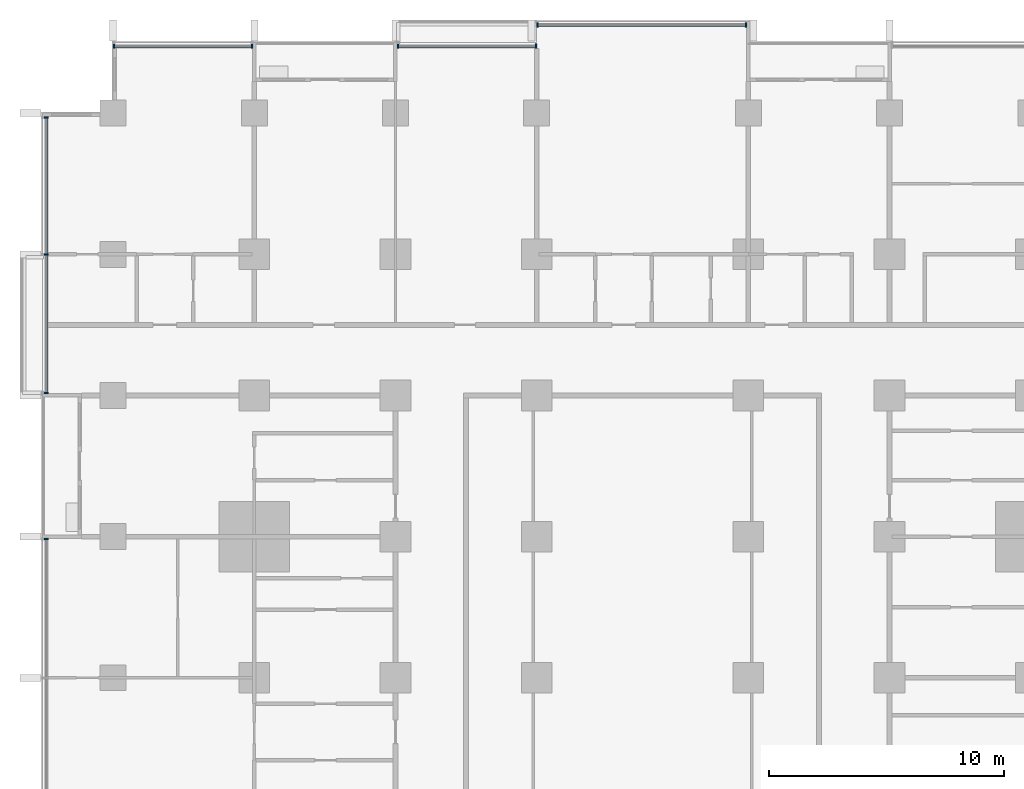
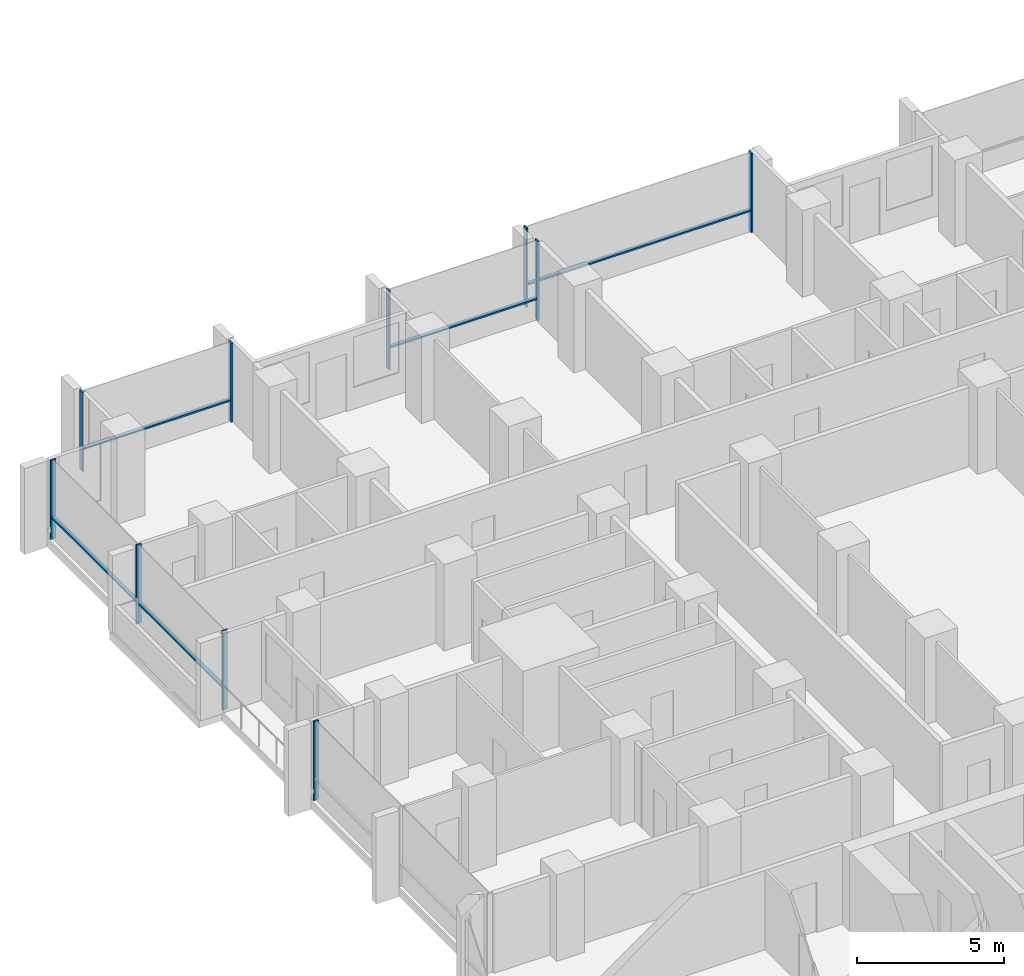
# One storey, part 4 of 18: 15 members, 5 elements without a shape of their own.
"""IFC4 building model written with IfcOpenShell, lengths in metres."""

from ifc_helpers import new_model, si_unit, direction, frame, origin, origin_2d, place, context, subcontext, project, spatial, rectangle, extrude, material, material_profile, profile_set, type_object, element, aggregate, save


model = new_model("IFC4")

# Units and contexts
model_context = context("Model", 3, precision=1e-05, world=origin(), true_north=direction((0.0, 1.0)))
body_context = subcontext(model_context, "Body", "Model", "MODEL_VIEW")
ifc_project = project(units=[si_unit("LENGTHUNIT", "METRE"), si_unit("AREAUNIT", "SQUARE_METRE"), si_unit("VOLUMEUNIT", "CUBIC_METRE"), si_unit("PLANEANGLEUNIT", "RADIAN"), si_unit("MASSUNIT", "GRAM", prefix="KILO")], contexts=[model_context])

# Site, building, storey
site_placement = place(None, origin())
site = spatial("IfcSite", under=ifc_project, at=site_placement, CompositionType="ELEMENT")
building_placement = place(site_placement, origin())
building = spatial("IfcBuilding", under=site, at=building_placement, Name="Finial Court Residences", CompositionType="ELEMENT")
storey_placement = place(building_placement, frame((0.0, 0.0, 39.699951171875)))
storey = spatial("IfcBuildingStorey", under=building, at=storey_placement, Name="L08", CompositionType="ELEMENT", Elevation=39.699951171875)

# Curtain wall, members
ifc_material = material(Name="Bronze anodised aluminium", Category="aluminium")
curtain_wall_type = type_object("IfcCurtainWallType", Name="Unitised curtain wall, lower and middle zones", PredefinedType="NOTDEFINED", material=ifc_material)
curtain_wall_1_placement = place(storey_placement, origin())
curtain_wall_1 = element("IfcCurtainWall", 1, at=curtain_wall_1_placement, inside=storey, type_object=curtain_wall_type, Name="E-L08-CW-N1", PredefinedType="NOTDEFINED")
ifc_material_profile_1 = material_profile(ifc_material, rectangle(XDim=0.199951171875, YDim=0.06494140625, at=origin_2d()), Name="CW1 mullion 65 x 200")
ifc_profile_set_1 = profile_set([ifc_material_profile_1], Name="Bronze anodised aluminium")
member_type_1 = type_object("IfcMemberType", Name="CW1 mullion 65 x 200", PredefinedType="MULLION", material=ifc_profile_set_1)
member_1_placement = place(storey_placement, frame((-22.467529296875, 28.35009765625, 0.0), z_axis=(0.0, 0.0, 1.0), x_axis=(0.0, 1.0, 0.0)))
member_1 = element("IfcMember", 2, at=member_1_placement, type_object=member_type_1, Name="CW1 mullion 1", PredefinedType="MULLION", context=body_context, shape_type="SweptSolid", body=[
    extrude(rectangle(XDim=0.199951171875, YDim=0.06494140625, at=origin_2d()), origin(), (0.0, 0.0, 1.0), 3.300048828125),
])
member_2_placement = place(storey_placement, frame((-16.607421875, 28.35009765625, 0.0), z_axis=(0.0, 0.0, 1.0), x_axis=(0.0, 1.0, 0.0)))
member_2 = element("IfcMember", 3, at=member_2_placement, type_object=member_type_1, Name="CW1 mullion 2", PredefinedType="MULLION", context=body_context, shape_type="SweptSolid", body=[
    extrude(rectangle(XDim=0.199951171875, YDim=0.06494140625, at=origin_2d()), origin(), (0.0, 0.0, 1.0), 3.300048828125),
])

curtain_wall_2_placement = place(storey_placement, origin())
curtain_wall_2 = element("IfcCurtainWall", 4, at=curtain_wall_2_placement, inside=storey, type_object=curtain_wall_type, Name="E-L08-CW-N2", PredefinedType="NOTDEFINED")
member_3_placement = place(storey_placement, frame((-10.392578125, 28.35009765625, 0.0), z_axis=(0.0, 0.0, 1.0), x_axis=(0.0, 1.0, 0.0)))
member_3 = element("IfcMember", 5, at=member_3_placement, type_object=member_type_1, Name="CW1 mullion 1", PredefinedType="MULLION", context=body_context, shape_type="SweptSolid", body=[
    extrude(rectangle(XDim=0.199951171875, YDim=0.06494140625, at=origin_2d()), origin(), (0.0, 0.0, 1.0), 3.300048828125),
])
member_4_placement = place(storey_placement, frame((-4.532470703125, 28.35009765625, 0.0), z_axis=(0.0, 0.0, 1.0), x_axis=(0.0, 1.0, 0.0)))
member_4 = element("IfcMember", 6, at=member_4_placement, type_object=member_type_1, Name="CW1 mullion 2", PredefinedType="MULLION", context=body_context, shape_type="SweptSolid", body=[
    extrude(rectangle(XDim=0.199951171875, YDim=0.06494140625, at=origin_2d()), origin(), (0.0, 0.0, 1.0), 3.300048828125),
])

curtain_wall_3_placement = place(storey_placement, origin())
curtain_wall_3 = element("IfcCurtainWall", 7, at=curtain_wall_3_placement, inside=storey, type_object=curtain_wall_type, Name="E-L08-CW-N3", PredefinedType="NOTDEFINED")
member_5_placement = place(storey_placement, frame((-4.467529296875, 29.25, 0.0), z_axis=(0.0, 0.0, 1.0), x_axis=(0.0, 1.0, 0.0)))
member_5 = element("IfcMember", 8, at=member_5_placement, type_object=member_type_1, Name="CW1 mullion 1", PredefinedType="MULLION", context=body_context, shape_type="SweptSolid", body=[
    extrude(rectangle(XDim=0.199951171875, YDim=0.06494140625, at=origin_2d()), origin(), (0.0, 0.0, 1.0), 3.300048828125),
])
member_6_placement = place(storey_placement, frame((4.392578125, 29.25, 0.0), z_axis=(0.0, 0.0, 1.0), x_axis=(0.0, 1.0, 0.0)))
member_6 = element("IfcMember", 9, at=member_6_placement, type_object=member_type_1, Name="CW1 mullion 2", PredefinedType="MULLION", context=body_context, shape_type="SweptSolid", body=[
    extrude(rectangle(XDim=0.199951171875, YDim=0.06494140625, at=origin_2d()), origin(), (0.0, 0.0, 1.0), 3.300048828125),
])

# Curtain wall, member
curtain_wall_4_placement = place(storey_placement, origin())
curtain_wall_4 = element("IfcCurtainWall", 10, at=curtain_wall_4_placement, inside=storey, type_object=curtain_wall_type, Name="E-L08-CW-W12", PredefinedType="NOTDEFINED")
member_7_placement = place(storey_placement, frame((-25.35009765625, 7.392578125, 0.0), z_axis=(0.0, 0.0, 1.0), x_axis=(-1.0, 0.0, 0.0)))
member_7 = element("IfcMember", 11, at=member_7_placement, type_object=member_type_1, Name="CW1 mullion 3", PredefinedType="MULLION", context=body_context, shape_type="SweptSolid", body=[
    extrude(rectangle(XDim=0.199951171875, YDim=0.06494140625, at=origin_2d()), origin(), (0.0, 0.0, 1.0), 3.300048828125),
])
aggregate(curtain_wall_4, [member_7])

# Curtain wall, members
curtain_wall_5_placement = place(storey_placement, origin())
curtain_wall_5 = element("IfcCurtainWall", 12, at=curtain_wall_5_placement, inside=storey, type_object=curtain_wall_type, Name="E-L08-CW-W13", PredefinedType="NOTDEFINED")
member_8_placement = place(storey_placement, frame((-25.35009765625, 13.607421875, 0.0), z_axis=(0.0, 0.0, 1.0), x_axis=(-1.0, 0.0, 0.0)))
member_8 = element("IfcMember", 13, at=member_8_placement, type_object=member_type_1, Name="CW1 mullion 1", PredefinedType="MULLION", context=body_context, shape_type="SweptSolid", body=[
    extrude(rectangle(XDim=0.199951171875, YDim=0.06494140625, at=origin_2d()), origin(), (0.0, 0.0, 1.0), 3.300048828125),
])
member_9_placement = place(storey_placement, frame((-25.35009765625, 19.5, 0.0), z_axis=(0.0, 0.0, 1.0), x_axis=(-1.0, 0.0, 0.0)))
member_9 = element("IfcMember", 14, at=member_9_placement, type_object=member_type_1, Name="CW1 mullion 2", PredefinedType="MULLION", context=body_context, shape_type="SweptSolid", body=[
    extrude(rectangle(XDim=0.199951171875, YDim=0.06494140625, at=origin_2d()), origin(), (0.0, 0.0, 1.0), 3.300048828125),
])
member_10_placement = place(storey_placement, frame((-25.35009765625, 25.3173828125, 0.0), z_axis=(0.0, 0.0, 1.0), x_axis=(-1.0, 0.0, 0.0)))
member_10 = element("IfcMember", 15, at=member_10_placement, type_object=member_type_1, Name="CW1 mullion 3", PredefinedType="MULLION", context=body_context, shape_type="SweptSolid", body=[
    extrude(rectangle(XDim=0.199951171875, YDim=0.06494140625, at=origin_2d()), origin(), (0.0, 0.0, 1.0), 3.300048828125),
])

# Member
ifc_material_profile_2 = material_profile(ifc_material, rectangle(XDim=0.14990234375, YDim=0.06494140625, at=origin_2d()), Name="CW1 transom 65 x 150")
ifc_profile_set_2 = profile_set([ifc_material_profile_2], Name="Bronze anodised aluminium")
member_type_2 = type_object("IfcMemberType", Name="CW1 transom 65 x 150", PredefinedType="USERDEFINED", material=ifc_profile_set_2)
member_11_placement = place(storey_placement, frame((-22.43505859375, 28.35009765625, 0.900146484375), z_axis=(1.0, 0.0, 0.0), x_axis=(0.0, 1.0, 0.0)))
member_11 = element("IfcMember", 16, at=member_11_placement, type_object=member_type_2, Name="CW1 transom 1.1", ObjectType="TRANSOM", PredefinedType="USERDEFINED", context=body_context, shape_type="SweptSolid", body=[
    extrude(rectangle(XDim=0.14990234375, YDim=0.06494140625, at=origin_2d()), origin(), (0.0, 0.0, 1.0), 5.795166015625),
])

aggregate(curtain_wall_1, [member_1, member_2, member_11])

member_12_placement = place(storey_placement, frame((-10.360107421875, 28.35009765625, 0.900146484375), z_axis=(1.0, 0.0, 0.0), x_axis=(0.0, 1.0, 0.0)))
member_12 = element("IfcMember", 17, at=member_12_placement, type_object=member_type_2, Name="CW1 transom 1.1", ObjectType="TRANSOM", PredefinedType="USERDEFINED", context=body_context, shape_type="SweptSolid", body=[
    extrude(rectangle(XDim=0.14990234375, YDim=0.06494140625, at=origin_2d()), origin(), (0.0, 0.0, 1.0), 5.795166015625),
])

aggregate(curtain_wall_2, [member_3, member_4, member_12])

member_13_placement = place(storey_placement, frame((-4.43505859375, 29.25, 0.900146484375), z_axis=(1.0, 0.0, 0.0), x_axis=(0.0, 1.0, 0.0)))
member_13 = element("IfcMember", 18, at=member_13_placement, type_object=member_type_2, Name="CW1 transom 1.1", ObjectType="TRANSOM", PredefinedType="USERDEFINED", context=body_context, shape_type="SweptSolid", body=[
    extrude(rectangle(XDim=0.14990234375, YDim=0.06494140625, at=origin_2d()), origin(), (0.0, 0.0, 1.0), 8.795166015625),
])

aggregate(curtain_wall_3, [member_5, member_6, member_13])

member_14_placement = place(storey_placement, frame((-25.35009765625, 13.639892578125, 0.900146484375), z_axis=(0.0, 1.0, 0.0), x_axis=(-1.0, 0.0, 0.0)))
member_14 = element("IfcMember", 19, at=member_14_placement, type_object=member_type_2, Name="CW1 transom 1.1", ObjectType="TRANSOM", PredefinedType="USERDEFINED", context=body_context, shape_type="SweptSolid", body=[
    extrude(rectangle(XDim=0.14990234375, YDim=0.06494140625, at=origin_2d()), origin(), (0.0, 0.0, 1.0), 5.82763671875),
])

member_15_placement = place(storey_placement, frame((-25.35009765625, 19.532470703125, 0.900146484375), z_axis=(0.0, 1.0, 0.0), x_axis=(-1.0, 0.0, 0.0)))
member_15 = element("IfcMember", 20, at=member_15_placement, type_object=member_type_2, Name="CW1 transom 2.1", ObjectType="TRANSOM", PredefinedType="USERDEFINED", context=body_context, shape_type="SweptSolid", body=[
    extrude(rectangle(XDim=0.14990234375, YDim=0.06494140625, at=origin_2d()), origin(), (0.0, 0.0, 1.0), 5.75244140625),
])

aggregate(curtain_wall_5, [member_8, member_9, member_10, member_14, member_15])

save(model, "model.ifc")
